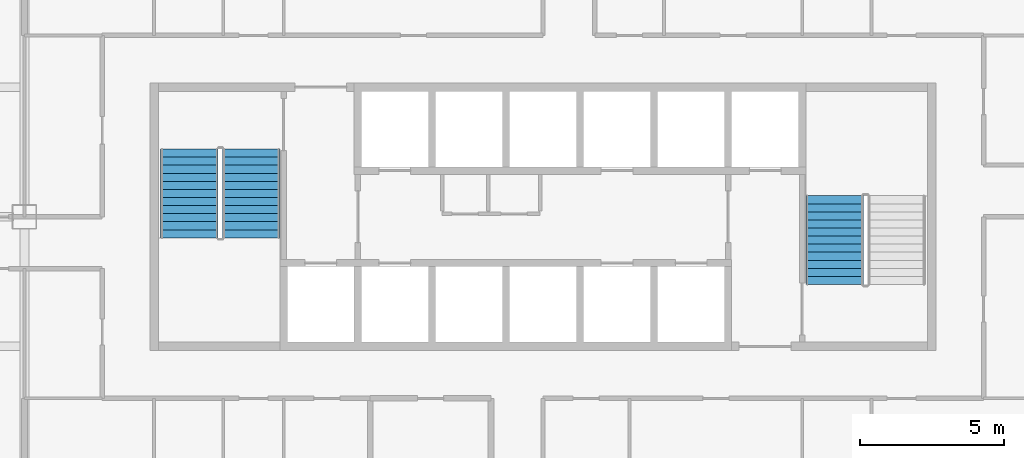
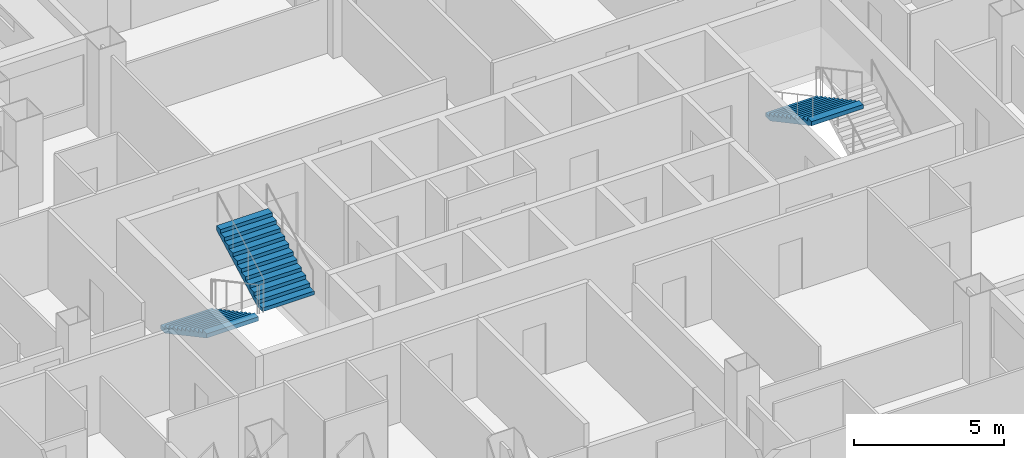
# One storey, part 11 of 15: 3 stair flights, 2 elements without a shape of their own.
"""IFC4 building model written with IfcOpenShell, lengths in metres."""

from ifc_helpers import new_model, si_unit, direction, frame, origin, place, context, subcontext, project, spatial, polygons, material, type_object, element, aggregate, save


model = new_model("IFC4")

# Units and contexts
model_context = context("Model", 3, precision=1e-05, world=origin(), true_north=direction((0.0, 1.0)))
body_context = subcontext(model_context, "Body", "Model", "MODEL_VIEW")
ifc_project = project(units=[si_unit("LENGTHUNIT", "METRE"), si_unit("AREAUNIT", "SQUARE_METRE"), si_unit("VOLUMEUNIT", "CUBIC_METRE"), si_unit("PLANEANGLEUNIT", "RADIAN"), si_unit("MASSUNIT", "GRAM", prefix="KILO")], contexts=[model_context])

# Site, building, storey
site_placement = place(None, origin())
site = spatial("IfcSite", under=ifc_project, at=site_placement, CompositionType="ELEMENT")
building_placement = place(site_placement, origin())
building = spatial("IfcBuilding", under=site, at=building_placement, Name="Caravel Reach Hotel and Residences", CompositionType="ELEMENT")
storey_placement = place(building_placement, frame((0.0, 0.0, 44.39990234375)))
storey = spatial("IfcBuildingStorey", under=building, at=storey_placement, Name="L09", CompositionType="ELEMENT", Elevation=44.39990234375)

# Stair, stair flights
ifc_material_1 = material(Name="Concrete C40", Category="concrete")
stair_type = type_object("IfcStairType", Name="Core stair", PredefinedType="HALF_TURN_STAIR", material=ifc_material_1)
stair_1_placement = place(storey_placement, origin())
stair_1 = element("IfcStair", 1, at=stair_1_placement, inside=storey, type_object=stair_type, Name="L09 Exit stair A", PredefinedType="HALF_TURN_STAIR")
ifc_material_2 = material(Name="Concrete C40", Category="concrete")
stair_flight_type = type_object("IfcStairFlightType", Name="Core stair flight", PredefinedType="STRAIGHT", material=ifc_material_2)
stair_flight_1_placement = place(storey_placement, frame((19.22509765625, 29.35009765625, 0.0), z_axis=(0.0, 0.0, 1.0), x_axis=(0.0, -1.0, 0.0)))
stair_flight_1 = element("IfcStairFlight", 2, at=stair_flight_1_placement, type_object=stair_flight_type, Name="ST-A flight 1", NumberOfRisers=12, NumberOfTreads=11, PredefinedType="STRAIGHT", RiserHeight=0.15, TreadLength=0.28, context=body_context, shape_type="Tessellation", body=[
    polygons([(0.3174408016601862, 1.0, 0.0), (0.3174408016601862, 0.6666666666666667, 0.0), (0.3174408016601862, 0.33333333333333337, 0.0), (0.3174408016601862, 0.0, 0.0), (0.3174408016601862, -0.33333333333333326, 0.0), (0.3174408016601862, -0.6666666666666667, 0.0), (0.3174408016601862, -1.0, 0.0), (3.081, 1.0, 1.479942427682043), (3.081, 0.6666666666666667, 1.479942427682043), (3.081, 0.33333333333333337, 1.479942427682043), (3.081, 0.0, 1.479942427682043), (3.081, -0.33333333333333326, 1.479942427682043), (3.081, -0.6666666666666667, 1.479942427682043), (3.081, -1.0, 1.479942427682043), (3.081, 1.0, 1.65), (3.081, 0.6666666666666667, 1.65), (3.081, 0.33333333333333337, 1.65), (3.081, 0.0, 1.65), (3.081, -0.33333333333333326, 1.65), (3.081, -0.6666666666666667, 1.65), (3.081, -1.0, 1.65), (2.8000000000000003, 1.0, 1.65), (2.8000000000000003, 0.6666666666666667, 1.65), (2.8000000000000003, 0.33333333333333337, 1.65), (2.8000000000000003, 0.0, 1.65), (2.8000000000000003, -0.33333333333333326, 1.65), (2.8000000000000003, -0.6666666666666667, 1.65), (2.8000000000000003, -1.0, 1.65), (2.8000000000000003, 1.0, 1.5), (2.8000000000000003, 0.6666666666666667, 1.5), (2.8000000000000003, 0.33333333333333337, 1.5), (2.8000000000000003, 0.0, 1.5), (2.8000000000000003, -0.33333333333333326, 1.5), (2.8000000000000003, -0.6666666666666667, 1.5), (2.8000000000000003, -1.0, 1.5), (2.5200000000000005, 1.0, 1.5), (2.5200000000000005, 0.6666666666666667, 1.5), (2.5200000000000005, 0.33333333333333337, 1.5), (2.5200000000000005, 0.0, 1.5), (2.5200000000000005, -0.33333333333333326, 1.5), (2.5200000000000005, -0.6666666666666667, 1.5), (2.5200000000000005, -1.0, 1.5), (2.5200000000000005, 1.0, 1.3499999999999999), (2.5200000000000005, 0.6666666666666667, 1.3499999999999999), (2.5200000000000005, 0.33333333333333337, 1.3499999999999999), (2.5200000000000005, 0.0, 1.3499999999999999), (2.5200000000000005, -0.33333333333333326, 1.3499999999999999), (2.5200000000000005, -0.6666666666666667, 1.3499999999999999), (2.5200000000000005, -1.0, 1.3499999999999999), (2.24, 1.0, 1.3499999999999999), (2.24, 0.6666666666666667, 1.3499999999999999), (2.24, 0.33333333333333337, 1.3499999999999999), (2.24, 0.0, 1.3499999999999999), (2.24, -0.33333333333333326, 1.3499999999999999), (2.24, -0.6666666666666667, 1.3499999999999999), (2.24, -1.0, 1.3499999999999999), (2.24, 1.0, 1.2), (2.24, 0.6666666666666667, 1.2), (2.24, 0.33333333333333337, 1.2), (2.24, 0.0, 1.2), (2.24, -0.33333333333333326, 1.2), (2.24, -0.6666666666666667, 1.2), (2.24, -1.0, 1.2), (1.9600000000000002, 1.0, 1.2), (1.9600000000000002, 0.6666666666666667, 1.2), (1.9600000000000002, 0.33333333333333337, 1.2), (1.9600000000000002, 0.0, 1.2), (1.9600000000000002, -0.33333333333333326, 1.2), (1.9600000000000002, -0.6666666666666667, 1.2), (1.9600000000000002, -1.0, 1.2), (1.9600000000000002, 1.0, 1.05), (1.9600000000000002, 0.6666666666666667, 1.05), (1.9600000000000002, 0.33333333333333337, 1.05), (1.9600000000000002, 0.0, 1.05), (1.9600000000000002, -0.33333333333333326, 1.05), (1.9600000000000002, -0.6666666666666667, 1.05), (1.9600000000000002, -1.0, 1.05), (1.6800000000000002, 1.0, 1.05), (1.6800000000000002, 0.6666666666666667, 1.05), (1.6800000000000002, 0.33333333333333337, 1.05), (1.6800000000000002, 0.0, 1.05), (1.6800000000000002, -0.33333333333333326, 1.05), (1.6800000000000002, -0.6666666666666667, 1.05), (1.6800000000000002, -1.0, 1.05), (1.6800000000000002, 1.0, 0.8999999999999999), (1.6800000000000002, 0.6666666666666667, 0.8999999999999999), (1.6800000000000002, 0.33333333333333337, 0.8999999999999999), (1.6800000000000002, 0.0, 0.8999999999999999), (1.6800000000000002, -0.33333333333333326, 0.8999999999999999), (1.6800000000000002, -0.6666666666666667, 0.8999999999999999), (1.6800000000000002, -1.0, 0.8999999999999999), (1.4000000000000001, 1.0, 0.8999999999999999), (1.4000000000000001, 0.6666666666666667, 0.8999999999999999), (1.4000000000000001, 0.33333333333333337, 0.8999999999999999), (1.4000000000000001, 0.0, 0.8999999999999999), (1.4000000000000001, -0.33333333333333326, 0.8999999999999999), (1.4000000000000001, -0.6666666666666667, 0.8999999999999999), (1.4000000000000001, -1.0, 0.8999999999999999), (1.4000000000000001, 1.0, 0.75), (1.4000000000000001, 0.6666666666666667, 0.75), (1.4000000000000001, 0.33333333333333337, 0.75), (1.4000000000000001, 0.0, 0.75), (1.4000000000000001, -0.33333333333333326, 0.75), (1.4000000000000001, -0.6666666666666667, 0.75), (1.4000000000000001, -1.0, 0.75), (1.12, 1.0, 0.75), (1.12, 0.6666666666666667, 0.75), (1.12, 0.33333333333333337, 0.75), (1.12, 0.0, 0.75), (1.12, -0.33333333333333326, 0.75), (1.12, -0.6666666666666667, 0.75), (1.12, -1.0, 0.75), (1.12, 1.0, 0.6), (1.12, 0.6666666666666667, 0.6), (1.12, 0.33333333333333337, 0.6), (1.12, 0.0, 0.6), (1.12, -0.33333333333333326, 0.6), (1.12, -0.6666666666666667, 0.6), (1.12, -1.0, 0.6), (0.8400000000000001, 1.0, 0.6), (0.8400000000000001, 0.6666666666666667, 0.6), (0.8400000000000001, 0.33333333333333337, 0.6), (0.8400000000000001, 0.0, 0.6), (0.8400000000000001, -0.33333333333333326, 0.6), (0.8400000000000001, -0.6666666666666667, 0.6), (0.8400000000000001, -1.0, 0.6), (0.8400000000000001, 1.0, 0.44999999999999996), (0.8400000000000001, 0.6666666666666667, 0.44999999999999996), (0.8400000000000001, 0.33333333333333337, 0.44999999999999996), (0.8400000000000001, 0.0, 0.44999999999999996), (0.8400000000000001, -0.33333333333333326, 0.44999999999999996), (0.8400000000000001, -0.6666666666666667, 0.44999999999999996), (0.8400000000000001, -1.0, 0.44999999999999996), (0.56, 1.0, 0.44999999999999996), (0.56, 0.6666666666666667, 0.44999999999999996), (0.56, 0.33333333333333337, 0.44999999999999996), (0.56, 0.0, 0.44999999999999996), (0.56, -0.33333333333333326, 0.44999999999999996), (0.56, -0.6666666666666667, 0.44999999999999996), (0.56, -1.0, 0.44999999999999996), (0.56, 1.0, 0.3), (0.56, 0.6666666666666667, 0.3), (0.56, 0.33333333333333337, 0.3), (0.56, 0.0, 0.3), (0.56, -0.33333333333333326, 0.3), (0.56, -0.6666666666666667, 0.3), (0.56, -1.0, 0.3), (0.28, 1.0, 0.3), (0.28, 0.6666666666666667, 0.3), (0.28, 0.33333333333333337, 0.3), (0.28, 0.0, 0.3), (0.28, -0.33333333333333326, 0.3), (0.28, -0.6666666666666667, 0.3), (0.28, -1.0, 0.3), (0.28, 1.0, 0.15), (0.28, 0.6666666666666667, 0.15), (0.28, 0.33333333333333337, 0.15), (0.28, 0.0, 0.15), (0.28, -0.33333333333333326, 0.15), (0.28, -0.6666666666666667, 0.15), (0.28, -1.0, 0.15), (-0.001, 1.0, 0.15), (-0.001, 0.6666666666666667, 0.15), (-0.001, 0.33333333333333337, 0.15), (-0.001, 0.0, 0.15), (-0.001, -0.33333333333333326, 0.15), (-0.001, -0.6666666666666667, 0.15), (-0.001, -1.0, 0.15), (-0.001, 1.0, 0.0), (-0.001, 0.6666666666666667, 0.0), (-0.001, 0.33333333333333337, 0.0), (-0.001, 0.0, 0.0), (-0.001, -0.33333333333333326, 0.0), (-0.001, -0.6666666666666667, 0.0), (-0.001, -1.0, 0.0)], [[[169, 162, 155, 148, 141, 134, 127, 120, 113, 106, 99, 92, 85, 78, 71, 64, 57, 50, 43, 36, 29, 22, 15, 8, 1]], [[7, 14, 21, 28, 35, 42, 49, 56, 63, 70, 77, 84, 91, 98, 105, 112, 119, 126, 133, 140, 147, 154, 161, 168, 175]], [[1, 8, 9, 2]], [[2, 9, 10, 3]], [[3, 10, 11, 4]], [[4, 11, 12, 5]], [[5, 12, 13, 6]], [[6, 13, 14, 7]], [[8, 15, 16, 9]], [[9, 16, 17, 10]], [[10, 17, 18, 11]], [[11, 18, 19, 12]], [[12, 19, 20, 13]], [[13, 20, 21, 14]], [[15, 22, 23, 16]], [[16, 23, 24, 17]], [[17, 24, 25, 18]], [[18, 25, 26, 19]], [[19, 26, 27, 20]], [[20, 27, 28, 21]], [[22, 29, 30, 23]], [[23, 30, 31, 24]], [[24, 31, 32, 25]], [[25, 32, 33, 26]], [[26, 33, 34, 27]], [[27, 34, 35, 28]], [[29, 36, 37, 30]], [[30, 37, 38, 31]], [[31, 38, 39, 32]], [[32, 39, 40, 33]], [[33, 40, 41, 34]], [[34, 41, 42, 35]], [[36, 43, 44, 37]], [[37, 44, 45, 38]], [[38, 45, 46, 39]], [[39, 46, 47, 40]], [[40, 47, 48, 41]], [[41, 48, 49, 42]], [[43, 50, 51, 44]], [[44, 51, 52, 45]], [[45, 52, 53, 46]], [[46, 53, 54, 47]], [[47, 54, 55, 48]], [[48, 55, 56, 49]], [[50, 57, 58, 51]], [[51, 58, 59, 52]], [[52, 59, 60, 53]], [[53, 60, 61, 54]], [[54, 61, 62, 55]], [[55, 62, 63, 56]], [[57, 64, 65, 58]], [[58, 65, 66, 59]], [[59, 66, 67, 60]], [[60, 67, 68, 61]], [[61, 68, 69, 62]], [[62, 69, 70, 63]], [[64, 71, 72, 65]], [[65, 72, 73, 66]], [[66, 73, 74, 67]], [[67, 74, 75, 68]], [[68, 75, 76, 69]], [[69, 76, 77, 70]], [[71, 78, 79, 72]], [[72, 79, 80, 73]], [[73, 80, 81, 74]], [[74, 81, 82, 75]], [[75, 82, 83, 76]], [[76, 83, 84, 77]], [[78, 85, 86, 79]], [[79, 86, 87, 80]], [[80, 87, 88, 81]], [[81, 88, 89, 82]], [[82, 89, 90, 83]], [[83, 90, 91, 84]], [[85, 92, 93, 86]], [[86, 93, 94, 87]], [[87, 94, 95, 88]], [[88, 95, 96, 89]], [[89, 96, 97, 90]], [[90, 97, 98, 91]], [[92, 99, 100, 93]], [[93, 100, 101, 94]], [[94, 101, 102, 95]], [[95, 102, 103, 96]], [[96, 103, 104, 97]], [[97, 104, 105, 98]], [[99, 106, 107, 100]], [[100, 107, 108, 101]], [[101, 108, 109, 102]], [[102, 109, 110, 103]], [[103, 110, 111, 104]], [[104, 111, 112, 105]], [[106, 113, 114, 107]], [[107, 114, 115, 108]], [[108, 115, 116, 109]], [[109, 116, 117, 110]], [[110, 117, 118, 111]], [[111, 118, 119, 112]], [[113, 120, 121, 114]], [[114, 121, 122, 115]], [[115, 122, 123, 116]], [[116, 123, 124, 117]], [[117, 124, 125, 118]], [[118, 125, 126, 119]], [[120, 127, 128, 121]], [[121, 128, 129, 122]], [[122, 129, 130, 123]], [[123, 130, 131, 124]], [[124, 131, 132, 125]], [[125, 132, 133, 126]], [[127, 134, 135, 128]], [[128, 135, 136, 129]], [[129, 136, 137, 130]], [[130, 137, 138, 131]], [[131, 138, 139, 132]], [[132, 139, 140, 133]], [[134, 141, 142, 135]], [[135, 142, 143, 136]], [[136, 143, 144, 137]], [[137, 144, 145, 138]], [[138, 145, 146, 139]], [[139, 146, 147, 140]], [[141, 148, 149, 142]], [[142, 149, 150, 143]], [[143, 150, 151, 144]], [[144, 151, 152, 145]], [[145, 152, 153, 146]], [[146, 153, 154, 147]], [[148, 155, 156, 149]], [[149, 156, 157, 150]], [[150, 157, 158, 151]], [[151, 158, 159, 152]], [[152, 159, 160, 153]], [[153, 160, 161, 154]], [[155, 162, 163, 156]], [[156, 163, 164, 157]], [[157, 164, 165, 158]], [[158, 165, 166, 159]], [[159, 166, 167, 160]], [[160, 167, 168, 161]], [[162, 169, 170, 163]], [[163, 170, 171, 164]], [[164, 171, 172, 165]], [[165, 172, 173, 166]], [[166, 173, 174, 167]], [[167, 174, 175, 168]], [[169, 1, 2, 170]], [[170, 2, 3, 171]], [[171, 3, 4, 172]], [[172, 4, 5, 173]], [[173, 5, 6, 174]], [[174, 6, 7, 175]]], closed=True),
])
stair_flight_2_placement = place(storey_placement, frame((21.375, 26.27001953125, 1.800048828125), z_axis=(0.0, 0.0, 1.0), x_axis=(0.0, 1.0, 0.0)))
stair_flight_2 = element("IfcStairFlight", 3, at=stair_flight_2_placement, type_object=stair_flight_type, Name="ST-A flight 2", NumberOfRisers=12, NumberOfTreads=11, PredefinedType="STRAIGHT", RiserHeight=0.15, TreadLength=0.28, context=body_context, shape_type="Tessellation", body=[
    polygons([(0.3174408016601862, 1.0, 0.0), (0.3174408016601862, 0.6666666666666667, 0.0), (0.3174408016601862, 0.33333333333333337, 0.0), (0.3174408016601862, 0.0, 0.0), (0.3174408016601862, -0.33333333333333326, 0.0), (0.3174408016601862, -0.6666666666666667, 0.0), (0.3174408016601862, -1.0, 0.0), (3.081, 1.0, 1.479942427682043), (3.081, 0.6666666666666667, 1.479942427682043), (3.081, 0.33333333333333337, 1.479942427682043), (3.081, 0.0, 1.479942427682043), (3.081, -0.33333333333333326, 1.479942427682043), (3.081, -0.6666666666666667, 1.479942427682043), (3.081, -1.0, 1.479942427682043), (3.081, 1.0, 1.65), (3.081, 0.6666666666666667, 1.65), (3.081, 0.33333333333333337, 1.65), (3.081, 0.0, 1.65), (3.081, -0.33333333333333326, 1.65), (3.081, -0.6666666666666667, 1.65), (3.081, -1.0, 1.65), (2.8000000000000003, 1.0, 1.65), (2.8000000000000003, 0.6666666666666667, 1.65), (2.8000000000000003, 0.33333333333333337, 1.65), (2.8000000000000003, 0.0, 1.65), (2.8000000000000003, -0.33333333333333326, 1.65), (2.8000000000000003, -0.6666666666666667, 1.65), (2.8000000000000003, -1.0, 1.65), (2.8000000000000003, 1.0, 1.5), (2.8000000000000003, 0.6666666666666667, 1.5), (2.8000000000000003, 0.33333333333333337, 1.5), (2.8000000000000003, 0.0, 1.5), (2.8000000000000003, -0.33333333333333326, 1.5), (2.8000000000000003, -0.6666666666666667, 1.5), (2.8000000000000003, -1.0, 1.5), (2.5200000000000005, 1.0, 1.5), (2.5200000000000005, 0.6666666666666667, 1.5), (2.5200000000000005, 0.33333333333333337, 1.5), (2.5200000000000005, 0.0, 1.5), (2.5200000000000005, -0.33333333333333326, 1.5), (2.5200000000000005, -0.6666666666666667, 1.5), (2.5200000000000005, -1.0, 1.5), (2.5200000000000005, 1.0, 1.3499999999999999), (2.5200000000000005, 0.6666666666666667, 1.3499999999999999), (2.5200000000000005, 0.33333333333333337, 1.3499999999999999), (2.5200000000000005, 0.0, 1.3499999999999999), (2.5200000000000005, -0.33333333333333326, 1.3499999999999999), (2.5200000000000005, -0.6666666666666667, 1.3499999999999999), (2.5200000000000005, -1.0, 1.3499999999999999), (2.24, 1.0, 1.3499999999999999), (2.24, 0.6666666666666667, 1.3499999999999999), (2.24, 0.33333333333333337, 1.3499999999999999), (2.24, 0.0, 1.3499999999999999), (2.24, -0.33333333333333326, 1.3499999999999999), (2.24, -0.6666666666666667, 1.3499999999999999), (2.24, -1.0, 1.3499999999999999), (2.24, 1.0, 1.2), (2.24, 0.6666666666666667, 1.2), (2.24, 0.33333333333333337, 1.2), (2.24, 0.0, 1.2), (2.24, -0.33333333333333326, 1.2), (2.24, -0.6666666666666667, 1.2), (2.24, -1.0, 1.2), (1.9600000000000002, 1.0, 1.2), (1.9600000000000002, 0.6666666666666667, 1.2), (1.9600000000000002, 0.33333333333333337, 1.2), (1.9600000000000002, 0.0, 1.2), (1.9600000000000002, -0.33333333333333326, 1.2), (1.9600000000000002, -0.6666666666666667, 1.2), (1.9600000000000002, -1.0, 1.2), (1.9600000000000002, 1.0, 1.05), (1.9600000000000002, 0.6666666666666667, 1.05), (1.9600000000000002, 0.33333333333333337, 1.05), (1.9600000000000002, 0.0, 1.05), (1.9600000000000002, -0.33333333333333326, 1.05), (1.9600000000000002, -0.6666666666666667, 1.05), (1.9600000000000002, -1.0, 1.05), (1.6800000000000002, 1.0, 1.05), (1.6800000000000002, 0.6666666666666667, 1.05), (1.6800000000000002, 0.33333333333333337, 1.05), (1.6800000000000002, 0.0, 1.05), (1.6800000000000002, -0.33333333333333326, 1.05), (1.6800000000000002, -0.6666666666666667, 1.05), (1.6800000000000002, -1.0, 1.05), (1.6800000000000002, 1.0, 0.8999999999999999), (1.6800000000000002, 0.6666666666666667, 0.8999999999999999), (1.6800000000000002, 0.33333333333333337, 0.8999999999999999), (1.6800000000000002, 0.0, 0.8999999999999999), (1.6800000000000002, -0.33333333333333326, 0.8999999999999999), (1.6800000000000002, -0.6666666666666667, 0.8999999999999999), (1.6800000000000002, -1.0, 0.8999999999999999), (1.4000000000000001, 1.0, 0.8999999999999999), (1.4000000000000001, 0.6666666666666667, 0.8999999999999999), (1.4000000000000001, 0.33333333333333337, 0.8999999999999999), (1.4000000000000001, 0.0, 0.8999999999999999), (1.4000000000000001, -0.33333333333333326, 0.8999999999999999), (1.4000000000000001, -0.6666666666666667, 0.8999999999999999), (1.4000000000000001, -1.0, 0.8999999999999999), (1.4000000000000001, 1.0, 0.75), (1.4000000000000001, 0.6666666666666667, 0.75), (1.4000000000000001, 0.33333333333333337, 0.75), (1.4000000000000001, 0.0, 0.75), (1.4000000000000001, -0.33333333333333326, 0.75), (1.4000000000000001, -0.6666666666666667, 0.75), (1.4000000000000001, -1.0, 0.75), (1.12, 1.0, 0.75), (1.12, 0.6666666666666667, 0.75), (1.12, 0.33333333333333337, 0.75), (1.12, 0.0, 0.75), (1.12, -0.33333333333333326, 0.75), (1.12, -0.6666666666666667, 0.75), (1.12, -1.0, 0.75), (1.12, 1.0, 0.6), (1.12, 0.6666666666666667, 0.6), (1.12, 0.33333333333333337, 0.6), (1.12, 0.0, 0.6), (1.12, -0.33333333333333326, 0.6), (1.12, -0.6666666666666667, 0.6), (1.12, -1.0, 0.6), (0.8400000000000001, 1.0, 0.6), (0.8400000000000001, 0.6666666666666667, 0.6), (0.8400000000000001, 0.33333333333333337, 0.6), (0.8400000000000001, 0.0, 0.6), (0.8400000000000001, -0.33333333333333326, 0.6), (0.8400000000000001, -0.6666666666666667, 0.6), (0.8400000000000001, -1.0, 0.6), (0.8400000000000001, 1.0, 0.44999999999999996), (0.8400000000000001, 0.6666666666666667, 0.44999999999999996), (0.8400000000000001, 0.33333333333333337, 0.44999999999999996), (0.8400000000000001, 0.0, 0.44999999999999996), (0.8400000000000001, -0.33333333333333326, 0.44999999999999996), (0.8400000000000001, -0.6666666666666667, 0.44999999999999996), (0.8400000000000001, -1.0, 0.44999999999999996), (0.56, 1.0, 0.44999999999999996), (0.56, 0.6666666666666667, 0.44999999999999996), (0.56, 0.33333333333333337, 0.44999999999999996), (0.56, 0.0, 0.44999999999999996), (0.56, -0.33333333333333326, 0.44999999999999996), (0.56, -0.6666666666666667, 0.44999999999999996), (0.56, -1.0, 0.44999999999999996), (0.56, 1.0, 0.3), (0.56, 0.6666666666666667, 0.3), (0.56, 0.33333333333333337, 0.3), (0.56, 0.0, 0.3), (0.56, -0.33333333333333326, 0.3), (0.56, -0.6666666666666667, 0.3), (0.56, -1.0, 0.3), (0.28, 1.0, 0.3), (0.28, 0.6666666666666667, 0.3), (0.28, 0.33333333333333337, 0.3), (0.28, 0.0, 0.3), (0.28, -0.33333333333333326, 0.3), (0.28, -0.6666666666666667, 0.3), (0.28, -1.0, 0.3), (0.28, 1.0, 0.15), (0.28, 0.6666666666666667, 0.15), (0.28, 0.33333333333333337, 0.15), (0.28, 0.0, 0.15), (0.28, -0.33333333333333326, 0.15), (0.28, -0.6666666666666667, 0.15), (0.28, -1.0, 0.15), (-0.001, 1.0, 0.15), (-0.001, 0.6666666666666667, 0.15), (-0.001, 0.33333333333333337, 0.15), (-0.001, 0.0, 0.15), (-0.001, -0.33333333333333326, 0.15), (-0.001, -0.6666666666666667, 0.15), (-0.001, -1.0, 0.15), (-0.001, 1.0, 0.0), (-0.001, 0.6666666666666667, 0.0), (-0.001, 0.33333333333333337, 0.0), (-0.001, 0.0, 0.0), (-0.001, -0.33333333333333326, 0.0), (-0.001, -0.6666666666666667, 0.0), (-0.001, -1.0, 0.0)], [[[169, 162, 155, 148, 141, 134, 127, 120, 113, 106, 99, 92, 85, 78, 71, 64, 57, 50, 43, 36, 29, 22, 15, 8, 1]], [[7, 14, 21, 28, 35, 42, 49, 56, 63, 70, 77, 84, 91, 98, 105, 112, 119, 126, 133, 140, 147, 154, 161, 168, 175]], [[1, 8, 9, 2]], [[2, 9, 10, 3]], [[3, 10, 11, 4]], [[4, 11, 12, 5]], [[5, 12, 13, 6]], [[6, 13, 14, 7]], [[8, 15, 16, 9]], [[9, 16, 17, 10]], [[10, 17, 18, 11]], [[11, 18, 19, 12]], [[12, 19, 20, 13]], [[13, 20, 21, 14]], [[15, 22, 23, 16]], [[16, 23, 24, 17]], [[17, 24, 25, 18]], [[18, 25, 26, 19]], [[19, 26, 27, 20]], [[20, 27, 28, 21]], [[22, 29, 30, 23]], [[23, 30, 31, 24]], [[24, 31, 32, 25]], [[25, 32, 33, 26]], [[26, 33, 34, 27]], [[27, 34, 35, 28]], [[29, 36, 37, 30]], [[30, 37, 38, 31]], [[31, 38, 39, 32]], [[32, 39, 40, 33]], [[33, 40, 41, 34]], [[34, 41, 42, 35]], [[36, 43, 44, 37]], [[37, 44, 45, 38]], [[38, 45, 46, 39]], [[39, 46, 47, 40]], [[40, 47, 48, 41]], [[41, 48, 49, 42]], [[43, 50, 51, 44]], [[44, 51, 52, 45]], [[45, 52, 53, 46]], [[46, 53, 54, 47]], [[47, 54, 55, 48]], [[48, 55, 56, 49]], [[50, 57, 58, 51]], [[51, 58, 59, 52]], [[52, 59, 60, 53]], [[53, 60, 61, 54]], [[54, 61, 62, 55]], [[55, 62, 63, 56]], [[57, 64, 65, 58]], [[58, 65, 66, 59]], [[59, 66, 67, 60]], [[60, 67, 68, 61]], [[61, 68, 69, 62]], [[62, 69, 70, 63]], [[64, 71, 72, 65]], [[65, 72, 73, 66]], [[66, 73, 74, 67]], [[67, 74, 75, 68]], [[68, 75, 76, 69]], [[69, 76, 77, 70]], [[71, 78, 79, 72]], [[72, 79, 80, 73]], [[73, 80, 81, 74]], [[74, 81, 82, 75]], [[75, 82, 83, 76]], [[76, 83, 84, 77]], [[78, 85, 86, 79]], [[79, 86, 87, 80]], [[80, 87, 88, 81]], [[81, 88, 89, 82]], [[82, 89, 90, 83]], [[83, 90, 91, 84]], [[85, 92, 93, 86]], [[86, 93, 94, 87]], [[87, 94, 95, 88]], [[88, 95, 96, 89]], [[89, 96, 97, 90]], [[90, 97, 98, 91]], [[92, 99, 100, 93]], [[93, 100, 101, 94]], [[94, 101, 102, 95]], [[95, 102, 103, 96]], [[96, 103, 104, 97]], [[97, 104, 105, 98]], [[99, 106, 107, 100]], [[100, 107, 108, 101]], [[101, 108, 109, 102]], [[102, 109, 110, 103]], [[103, 110, 111, 104]], [[104, 111, 112, 105]], [[106, 113, 114, 107]], [[107, 114, 115, 108]], [[108, 115, 116, 109]], [[109, 116, 117, 110]], [[110, 117, 118, 111]], [[111, 118, 119, 112]], [[113, 120, 121, 114]], [[114, 121, 122, 115]], [[115, 122, 123, 116]], [[116, 123, 124, 117]], [[117, 124, 125, 118]], [[118, 125, 126, 119]], [[120, 127, 128, 121]], [[121, 128, 129, 122]], [[122, 129, 130, 123]], [[123, 130, 131, 124]], [[124, 131, 132, 125]], [[125, 132, 133, 126]], [[127, 134, 135, 128]], [[128, 135, 136, 129]], [[129, 136, 137, 130]], [[130, 137, 138, 131]], [[131, 138, 139, 132]], [[132, 139, 140, 133]], [[134, 141, 142, 135]], [[135, 142, 143, 136]], [[136, 143, 144, 137]], [[137, 144, 145, 138]], [[138, 145, 146, 139]], [[139, 146, 147, 140]], [[141, 148, 149, 142]], [[142, 149, 150, 143]], [[143, 150, 151, 144]], [[144, 151, 152, 145]], [[145, 152, 153, 146]], [[146, 153, 154, 147]], [[148, 155, 156, 149]], [[149, 156, 157, 150]], [[150, 157, 158, 151]], [[151, 158, 159, 152]], [[152, 159, 160, 153]], [[153, 160, 161, 154]], [[155, 162, 163, 156]], [[156, 163, 164, 157]], [[157, 164, 165, 158]], [[158, 165, 166, 159]], [[159, 166, 167, 160]], [[160, 167, 168, 161]], [[162, 169, 170, 163]], [[163, 170, 171, 164]], [[164, 171, 172, 165]], [[165, 172, 173, 166]], [[166, 173, 174, 167]], [[167, 174, 175, 168]], [[169, 1, 2, 170]], [[170, 2, 3, 171]], [[171, 3, 4, 172]], [[172, 4, 5, 173]], [[173, 5, 6, 174]], [[174, 6, 7, 175]]], closed=True),
])
aggregate(stair_1, [stair_flight_1, stair_flight_2])

# Stair, stair flight
stair_2_placement = place(storey_placement, origin())
stair_2 = element("IfcStair", 4, at=stair_2_placement, inside=storey, type_object=stair_type, Name="L09 Exit stair B", PredefinedType="HALF_TURN_STAIR")
stair_flight_3_placement = place(storey_placement, frame((41.625, 27.72998046875, 1.800048828125), z_axis=(0.0, 0.0, 1.0), x_axis=(0.0, -1.0, 0.0)))
stair_flight_3 = element("IfcStairFlight", 5, at=stair_flight_3_placement, type_object=stair_flight_type, Name="ST-B flight 2", NumberOfRisers=12, NumberOfTreads=11, PredefinedType="STRAIGHT", RiserHeight=0.15, TreadLength=0.28, context=body_context, shape_type="Tessellation", body=[
    polygons([(0.3174408016601862, 1.0, 0.0), (0.3174408016601862, 0.6666666666666667, 0.0), (0.3174408016601862, 0.33333333333333337, 0.0), (0.3174408016601862, 0.0, 0.0), (0.3174408016601862, -0.33333333333333326, 0.0), (0.3174408016601862, -0.6666666666666667, 0.0), (0.3174408016601862, -1.0, 0.0), (3.081, 1.0, 1.479942427682043), (3.081, 0.6666666666666667, 1.479942427682043), (3.081, 0.33333333333333337, 1.479942427682043), (3.081, 0.0, 1.479942427682043), (3.081, -0.33333333333333326, 1.479942427682043), (3.081, -0.6666666666666667, 1.479942427682043), (3.081, -1.0, 1.479942427682043), (3.081, 1.0, 1.65), (3.081, 0.6666666666666667, 1.65), (3.081, 0.33333333333333337, 1.65), (3.081, 0.0, 1.65), (3.081, -0.33333333333333326, 1.65), (3.081, -0.6666666666666667, 1.65), (3.081, -1.0, 1.65), (2.8000000000000003, 1.0, 1.65), (2.8000000000000003, 0.6666666666666667, 1.65), (2.8000000000000003, 0.33333333333333337, 1.65), (2.8000000000000003, 0.0, 1.65), (2.8000000000000003, -0.33333333333333326, 1.65), (2.8000000000000003, -0.6666666666666667, 1.65), (2.8000000000000003, -1.0, 1.65), (2.8000000000000003, 1.0, 1.5), (2.8000000000000003, 0.6666666666666667, 1.5), (2.8000000000000003, 0.33333333333333337, 1.5), (2.8000000000000003, 0.0, 1.5), (2.8000000000000003, -0.33333333333333326, 1.5), (2.8000000000000003, -0.6666666666666667, 1.5), (2.8000000000000003, -1.0, 1.5), (2.5200000000000005, 1.0, 1.5), (2.5200000000000005, 0.6666666666666667, 1.5), (2.5200000000000005, 0.33333333333333337, 1.5), (2.5200000000000005, 0.0, 1.5), (2.5200000000000005, -0.33333333333333326, 1.5), (2.5200000000000005, -0.6666666666666667, 1.5), (2.5200000000000005, -1.0, 1.5), (2.5200000000000005, 1.0, 1.3499999999999999), (2.5200000000000005, 0.6666666666666667, 1.3499999999999999), (2.5200000000000005, 0.33333333333333337, 1.3499999999999999), (2.5200000000000005, 0.0, 1.3499999999999999), (2.5200000000000005, -0.33333333333333326, 1.3499999999999999), (2.5200000000000005, -0.6666666666666667, 1.3499999999999999), (2.5200000000000005, -1.0, 1.3499999999999999), (2.24, 1.0, 1.3499999999999999), (2.24, 0.6666666666666667, 1.3499999999999999), (2.24, 0.33333333333333337, 1.3499999999999999), (2.24, 0.0, 1.3499999999999999), (2.24, -0.33333333333333326, 1.3499999999999999), (2.24, -0.6666666666666667, 1.3499999999999999), (2.24, -1.0, 1.3499999999999999), (2.24, 1.0, 1.2), (2.24, 0.6666666666666667, 1.2), (2.24, 0.33333333333333337, 1.2), (2.24, 0.0, 1.2), (2.24, -0.33333333333333326, 1.2), (2.24, -0.6666666666666667, 1.2), (2.24, -1.0, 1.2), (1.9600000000000002, 1.0, 1.2), (1.9600000000000002, 0.6666666666666667, 1.2), (1.9600000000000002, 0.33333333333333337, 1.2), (1.9600000000000002, 0.0, 1.2), (1.9600000000000002, -0.33333333333333326, 1.2), (1.9600000000000002, -0.6666666666666667, 1.2), (1.9600000000000002, -1.0, 1.2), (1.9600000000000002, 1.0, 1.05), (1.9600000000000002, 0.6666666666666667, 1.05), (1.9600000000000002, 0.33333333333333337, 1.05), (1.9600000000000002, 0.0, 1.05), (1.9600000000000002, -0.33333333333333326, 1.05), (1.9600000000000002, -0.6666666666666667, 1.05), (1.9600000000000002, -1.0, 1.05), (1.6800000000000002, 1.0, 1.05), (1.6800000000000002, 0.6666666666666667, 1.05), (1.6800000000000002, 0.33333333333333337, 1.05), (1.6800000000000002, 0.0, 1.05), (1.6800000000000002, -0.33333333333333326, 1.05), (1.6800000000000002, -0.6666666666666667, 1.05), (1.6800000000000002, -1.0, 1.05), (1.6800000000000002, 1.0, 0.8999999999999999), (1.6800000000000002, 0.6666666666666667, 0.8999999999999999), (1.6800000000000002, 0.33333333333333337, 0.8999999999999999), (1.6800000000000002, 0.0, 0.8999999999999999), (1.6800000000000002, -0.33333333333333326, 0.8999999999999999), (1.6800000000000002, -0.6666666666666667, 0.8999999999999999), (1.6800000000000002, -1.0, 0.8999999999999999), (1.4000000000000001, 1.0, 0.8999999999999999), (1.4000000000000001, 0.6666666666666667, 0.8999999999999999), (1.4000000000000001, 0.33333333333333337, 0.8999999999999999), (1.4000000000000001, 0.0, 0.8999999999999999), (1.4000000000000001, -0.33333333333333326, 0.8999999999999999), (1.4000000000000001, -0.6666666666666667, 0.8999999999999999), (1.4000000000000001, -1.0, 0.8999999999999999), (1.4000000000000001, 1.0, 0.75), (1.4000000000000001, 0.6666666666666667, 0.75), (1.4000000000000001, 0.33333333333333337, 0.75), (1.4000000000000001, 0.0, 0.75), (1.4000000000000001, -0.33333333333333326, 0.75), (1.4000000000000001, -0.6666666666666667, 0.75), (1.4000000000000001, -1.0, 0.75), (1.12, 1.0, 0.75), (1.12, 0.6666666666666667, 0.75), (1.12, 0.33333333333333337, 0.75), (1.12, 0.0, 0.75), (1.12, -0.33333333333333326, 0.75), (1.12, -0.6666666666666667, 0.75), (1.12, -1.0, 0.75), (1.12, 1.0, 0.6), (1.12, 0.6666666666666667, 0.6), (1.12, 0.33333333333333337, 0.6), (1.12, 0.0, 0.6), (1.12, -0.33333333333333326, 0.6), (1.12, -0.6666666666666667, 0.6), (1.12, -1.0, 0.6), (0.8400000000000001, 1.0, 0.6), (0.8400000000000001, 0.6666666666666667, 0.6), (0.8400000000000001, 0.33333333333333337, 0.6), (0.8400000000000001, 0.0, 0.6), (0.8400000000000001, -0.33333333333333326, 0.6), (0.8400000000000001, -0.6666666666666667, 0.6), (0.8400000000000001, -1.0, 0.6), (0.8400000000000001, 1.0, 0.44999999999999996), (0.8400000000000001, 0.6666666666666667, 0.44999999999999996), (0.8400000000000001, 0.33333333333333337, 0.44999999999999996), (0.8400000000000001, 0.0, 0.44999999999999996), (0.8400000000000001, -0.33333333333333326, 0.44999999999999996), (0.8400000000000001, -0.6666666666666667, 0.44999999999999996), (0.8400000000000001, -1.0, 0.44999999999999996), (0.56, 1.0, 0.44999999999999996), (0.56, 0.6666666666666667, 0.44999999999999996), (0.56, 0.33333333333333337, 0.44999999999999996), (0.56, 0.0, 0.44999999999999996), (0.56, -0.33333333333333326, 0.44999999999999996), (0.56, -0.6666666666666667, 0.44999999999999996), (0.56, -1.0, 0.44999999999999996), (0.56, 1.0, 0.3), (0.56, 0.6666666666666667, 0.3), (0.56, 0.33333333333333337, 0.3), (0.56, 0.0, 0.3), (0.56, -0.33333333333333326, 0.3), (0.56, -0.6666666666666667, 0.3), (0.56, -1.0, 0.3), (0.28, 1.0, 0.3), (0.28, 0.6666666666666667, 0.3), (0.28, 0.33333333333333337, 0.3), (0.28, 0.0, 0.3), (0.28, -0.33333333333333326, 0.3), (0.28, -0.6666666666666667, 0.3), (0.28, -1.0, 0.3), (0.28, 1.0, 0.15), (0.28, 0.6666666666666667, 0.15), (0.28, 0.33333333333333337, 0.15), (0.28, 0.0, 0.15), (0.28, -0.33333333333333326, 0.15), (0.28, -0.6666666666666667, 0.15), (0.28, -1.0, 0.15), (-0.001, 1.0, 0.15), (-0.001, 0.6666666666666667, 0.15), (-0.001, 0.33333333333333337, 0.15), (-0.001, 0.0, 0.15), (-0.001, -0.33333333333333326, 0.15), (-0.001, -0.6666666666666667, 0.15), (-0.001, -1.0, 0.15), (-0.001, 1.0, 0.0), (-0.001, 0.6666666666666667, 0.0), (-0.001, 0.33333333333333337, 0.0), (-0.001, 0.0, 0.0), (-0.001, -0.33333333333333326, 0.0), (-0.001, -0.6666666666666667, 0.0), (-0.001, -1.0, 0.0)], [[[169, 162, 155, 148, 141, 134, 127, 120, 113, 106, 99, 92, 85, 78, 71, 64, 57, 50, 43, 36, 29, 22, 15, 8, 1]], [[7, 14, 21, 28, 35, 42, 49, 56, 63, 70, 77, 84, 91, 98, 105, 112, 119, 126, 133, 140, 147, 154, 161, 168, 175]], [[1, 8, 9, 2]], [[2, 9, 10, 3]], [[3, 10, 11, 4]], [[4, 11, 12, 5]], [[5, 12, 13, 6]], [[6, 13, 14, 7]], [[8, 15, 16, 9]], [[9, 16, 17, 10]], [[10, 17, 18, 11]], [[11, 18, 19, 12]], [[12, 19, 20, 13]], [[13, 20, 21, 14]], [[15, 22, 23, 16]], [[16, 23, 24, 17]], [[17, 24, 25, 18]], [[18, 25, 26, 19]], [[19, 26, 27, 20]], [[20, 27, 28, 21]], [[22, 29, 30, 23]], [[23, 30, 31, 24]], [[24, 31, 32, 25]], [[25, 32, 33, 26]], [[26, 33, 34, 27]], [[27, 34, 35, 28]], [[29, 36, 37, 30]], [[30, 37, 38, 31]], [[31, 38, 39, 32]], [[32, 39, 40, 33]], [[33, 40, 41, 34]], [[34, 41, 42, 35]], [[36, 43, 44, 37]], [[37, 44, 45, 38]], [[38, 45, 46, 39]], [[39, 46, 47, 40]], [[40, 47, 48, 41]], [[41, 48, 49, 42]], [[43, 50, 51, 44]], [[44, 51, 52, 45]], [[45, 52, 53, 46]], [[46, 53, 54, 47]], [[47, 54, 55, 48]], [[48, 55, 56, 49]], [[50, 57, 58, 51]], [[51, 58, 59, 52]], [[52, 59, 60, 53]], [[53, 60, 61, 54]], [[54, 61, 62, 55]], [[55, 62, 63, 56]], [[57, 64, 65, 58]], [[58, 65, 66, 59]], [[59, 66, 67, 60]], [[60, 67, 68, 61]], [[61, 68, 69, 62]], [[62, 69, 70, 63]], [[64, 71, 72, 65]], [[65, 72, 73, 66]], [[66, 73, 74, 67]], [[67, 74, 75, 68]], [[68, 75, 76, 69]], [[69, 76, 77, 70]], [[71, 78, 79, 72]], [[72, 79, 80, 73]], [[73, 80, 81, 74]], [[74, 81, 82, 75]], [[75, 82, 83, 76]], [[76, 83, 84, 77]], [[78, 85, 86, 79]], [[79, 86, 87, 80]], [[80, 87, 88, 81]], [[81, 88, 89, 82]], [[82, 89, 90, 83]], [[83, 90, 91, 84]], [[85, 92, 93, 86]], [[86, 93, 94, 87]], [[87, 94, 95, 88]], [[88, 95, 96, 89]], [[89, 96, 97, 90]], [[90, 97, 98, 91]], [[92, 99, 100, 93]], [[93, 100, 101, 94]], [[94, 101, 102, 95]], [[95, 102, 103, 96]], [[96, 103, 104, 97]], [[97, 104, 105, 98]], [[99, 106, 107, 100]], [[100, 107, 108, 101]], [[101, 108, 109, 102]], [[102, 109, 110, 103]], [[103, 110, 111, 104]], [[104, 111, 112, 105]], [[106, 113, 114, 107]], [[107, 114, 115, 108]], [[108, 115, 116, 109]], [[109, 116, 117, 110]], [[110, 117, 118, 111]], [[111, 118, 119, 112]], [[113, 120, 121, 114]], [[114, 121, 122, 115]], [[115, 122, 123, 116]], [[116, 123, 124, 117]], [[117, 124, 125, 118]], [[118, 125, 126, 119]], [[120, 127, 128, 121]], [[121, 128, 129, 122]], [[122, 129, 130, 123]], [[123, 130, 131, 124]], [[124, 131, 132, 125]], [[125, 132, 133, 126]], [[127, 134, 135, 128]], [[128, 135, 136, 129]], [[129, 136, 137, 130]], [[130, 137, 138, 131]], [[131, 138, 139, 132]], [[132, 139, 140, 133]], [[134, 141, 142, 135]], [[135, 142, 143, 136]], [[136, 143, 144, 137]], [[137, 144, 145, 138]], [[138, 145, 146, 139]], [[139, 146, 147, 140]], [[141, 148, 149, 142]], [[142, 149, 150, 143]], [[143, 150, 151, 144]], [[144, 151, 152, 145]], [[145, 152, 153, 146]], [[146, 153, 154, 147]], [[148, 155, 156, 149]], [[149, 156, 157, 150]], [[150, 157, 158, 151]], [[151, 158, 159, 152]], [[152, 159, 160, 153]], [[153, 160, 161, 154]], [[155, 162, 163, 156]], [[156, 163, 164, 157]], [[157, 164, 165, 158]], [[158, 165, 166, 159]], [[159, 166, 167, 160]], [[160, 167, 168, 161]], [[162, 169, 170, 163]], [[163, 170, 171, 164]], [[164, 171, 172, 165]], [[165, 172, 173, 166]], [[166, 173, 174, 167]], [[167, 174, 175, 168]], [[169, 1, 2, 170]], [[170, 2, 3, 171]], [[171, 3, 4, 172]], [[172, 4, 5, 173]], [[173, 5, 6, 174]], [[174, 6, 7, 175]]], closed=True),
])
aggregate(stair_2, [stair_flight_3])

save(model, "model.ifc")
